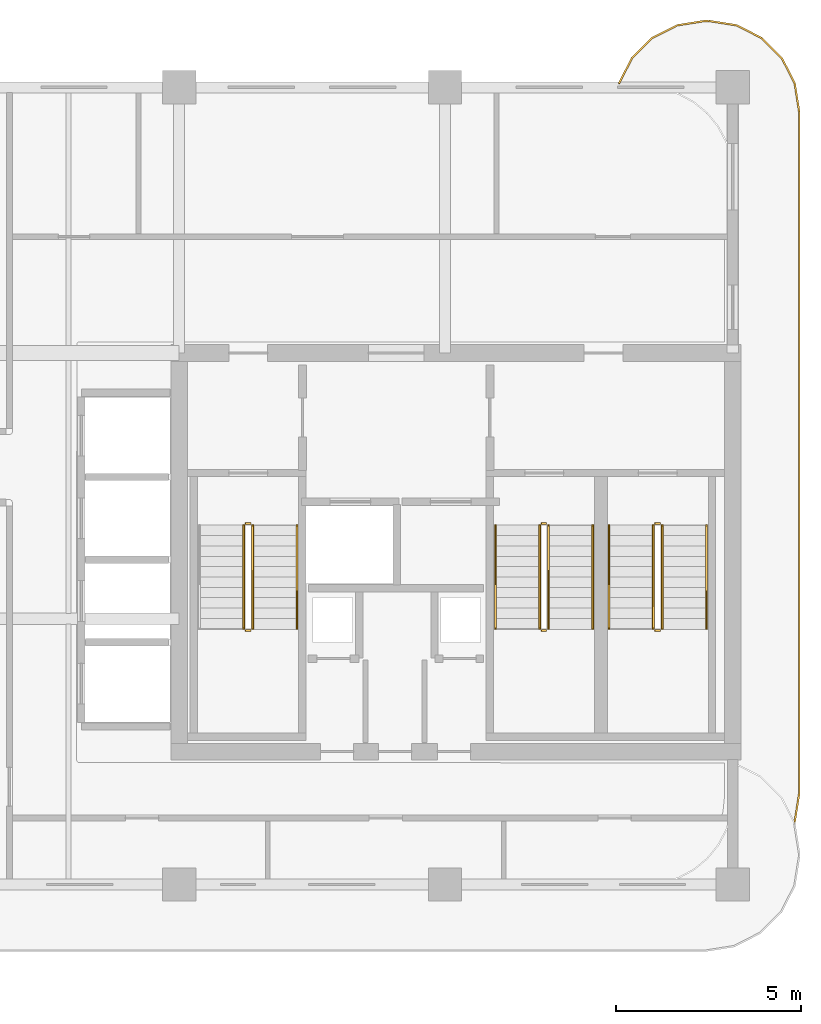
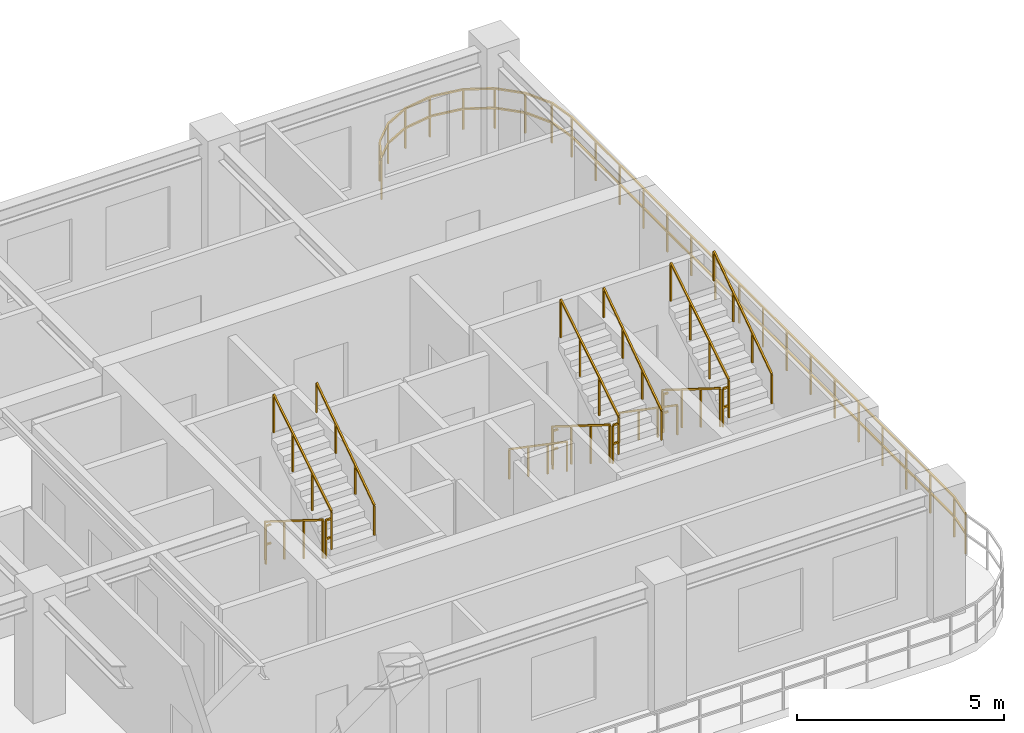
# One storey, part 7 of 7: 18 railings.
"""IFC4 building model written with IfcOpenShell, lengths in metres."""

from ifc_helpers import new_model, si_unit, derived_unit, direction, frame, origin, origin_2d, place, context, subcontext, project, spatial, rectangle, extrude, material, type_object, element, save


model = new_model("IFC4")

# Units and contexts
model_context = context("Model", 3, precision=1e-05, world=origin(), true_north=direction((0.0, 1.0)))
body_context = subcontext(model_context, "Body", "Model", "MODEL_VIEW")
ifc_project = project(units=[si_unit("LENGTHUNIT", "METRE"), si_unit("AREAUNIT", "SQUARE_METRE"), si_unit("VOLUMEUNIT", "CUBIC_METRE"), si_unit("PLANEANGLEUNIT", "RADIAN"), si_unit("MASSUNIT", "GRAM", prefix="KILO"), si_unit("THERMODYNAMICTEMPERATUREUNIT", "KELVIN"), si_unit("POWERUNIT", "WATT"), derived_unit("THERMALTRANSMITTANCEUNIT", [(si_unit("POWERUNIT", "WATT"), 1), (si_unit("AREAUNIT", "SQUARE_METRE"), -1), (si_unit("THERMODYNAMICTEMPERATUREUNIT", "KELVIN"), -1)])], contexts=[model_context])

# Site, building, storey
site_placement = place(None, origin())
site = spatial("IfcSite", under=ifc_project, at=site_placement, CompositionType="ELEMENT")
building_placement = place(site_placement, origin())
building = spatial("IfcBuilding", under=site, at=building_placement, Name="Zahravan Archway Hotel and Residences", CompositionType="ELEMENT")
storey_placement = place(building_placement, frame((0.0, 0.0, 236.550048828125)))
storey = spatial("IfcBuildingStorey", under=building, at=storey_placement, Name="L59", CompositionType="ELEMENT", Elevation=236.550048828125)

# Railings
ifc_material_1 = material(Name="Bronze & Laminated Glass Balustrade", Category="glass")
railing_type_1 = type_object("IfcRailingType", Name="RL-BAL-1200", PredefinedType="BALUSTRADE", material=ifc_material_1)
railing_1_placement = place(storey_placement, frame((46.719970703125, 21.70703125, 0.0)))
element("IfcRailing", 1, at=railing_1_placement, inside=storey, type_object=railing_type_1, Name="L59 Balustrade RL-SLB-BAL-L59-EA-1", PredefinedType="BALUSTRADE", context=body_context, shape_type="SweptSolid", body=[
    extrude(rectangle(XDim=0.048095703125, YDim=0.048095703125, at=origin_2d()), frame((0.0, 0.0, 1.17578125), z_axis=(0.453825591531, 0.891090529897, 0.0), x_axis=(-0.891090529897, 0.453825591531, 0.0)), (0.0, 0.0, 1.0), 0.7666015625),
    extrude(rectangle(XDim=0.048095703125, YDim=0.048095703125, at=origin_2d()), frame((0.0, 0.0, 0.60009765625), z_axis=(0.453825591531, 0.891090529897, 0.0), x_axis=(-0.891090529897, 0.453825591531, 0.0)), (0.0, 0.0, 1.0), 0.7666015625),
    extrude(rectangle(XDim=0.048095703125, YDim=0.048095703125, at=origin_2d()), frame((0.347900390625, 0.68310546875, 1.17578125), z_axis=(0.707106781187, 0.707106781187, 0.0), x_axis=(-0.707106781187, 0.707106781187, 0.0)), (0.0, 0.0, 1.0), 0.7666015625),
    extrude(rectangle(XDim=0.048095703125, YDim=0.048095703125, at=origin_2d()), frame((0.347900390625, 0.68310546875, 0.60009765625), z_axis=(0.707106781187, 0.707106781187, 0.0), x_axis=(-0.707106781187, 0.707106781187, 0.0)), (0.0, 0.0, 1.0), 0.7666015625),
    extrude(rectangle(XDim=0.048095703125, YDim=0.048095703125, at=origin_2d()), frame((0.889892578125, 1.22509765625, 1.17578125), z_axis=(0.891090529897, 0.453825591531, 0.0), x_axis=(-0.453825591531, 0.891090529897, 0.0)), (0.0, 0.0, 1.0), 0.7666015625),
    extrude(rectangle(XDim=0.048095703125, YDim=0.048095703125, at=origin_2d()), frame((0.889892578125, 1.22509765625, 0.60009765625), z_axis=(0.891090529897, 0.453825591531, 0.0), x_axis=(-0.453825591531, 0.891090529897, 0.0)), (0.0, 0.0, 1.0), 0.7666015625),
    extrude(rectangle(XDim=0.048095703125, YDim=0.048095703125, at=origin_2d()), frame((1.572998046875, 1.572998046875, 1.17578125), z_axis=(0.987695728695, 0.156387811283, 0.0), x_axis=(-0.156387811283, 0.987695728695, 0.0)), (0.0, 0.0, 1.0), 0.7666015625),
    extrude(rectangle(XDim=0.048095703125, YDim=0.048095703125, at=origin_2d()), frame((1.572998046875, 1.572998046875, 0.60009765625), z_axis=(0.987695728695, 0.156387811283, 0.0), x_axis=(-0.156387811283, 0.987695728695, 0.0)), (0.0, 0.0, 1.0), 0.7666015625),
    extrude(rectangle(XDim=0.048095703125, YDim=0.048095703125, at=origin_2d()), frame((2.330078125, 1.69287109375, 1.17578125), z_axis=(1.0, 0.0, 0.0), x_axis=(0.0, 1.0, 0.0)), (0.0, 0.0, 1.0), 0.099853515625),
    extrude(rectangle(XDim=0.048095703125, YDim=0.048095703125, at=origin_2d()), frame((2.330078125, 1.69287109375, 0.60009765625), z_axis=(1.0, 0.0, 0.0), x_axis=(0.0, 1.0, 0.0)), (0.0, 0.0, 1.0), 0.099853515625),
    extrude(rectangle(XDim=0.048095703125, YDim=0.048095703125, at=origin_2d()), frame((2.429931640625, 1.69287109375, 1.17578125), z_axis=(0.987695728695, -0.156387811283, 0.0), x_axis=(0.156387811283, 0.987695728695, 0.0)), (0.0, 0.0, 1.0), 0.7666015625),
    extrude(rectangle(XDim=0.048095703125, YDim=0.048095703125, at=origin_2d()), frame((2.429931640625, 1.69287109375, 0.60009765625), z_axis=(0.987695728695, -0.156387811283, 0.0), x_axis=(0.156387811283, 0.987695728695, 0.0)), (0.0, 0.0, 1.0), 0.7666015625),
    extrude(rectangle(XDim=0.048095703125, YDim=0.048095703125, at=origin_2d()), frame((3.18701171875, 1.572998046875, 1.17578125), z_axis=(0.891090529897, -0.453825591531, 0.0), x_axis=(0.453825591531, 0.891090529897, 0.0)), (0.0, 0.0, 1.0), 0.7666015625),
    extrude(rectangle(XDim=0.048095703125, YDim=0.048095703125, at=origin_2d()), frame((3.18701171875, 1.572998046875, 0.60009765625), z_axis=(0.891090529897, -0.453825591531, 0.0), x_axis=(0.453825591531, 0.891090529897, 0.0)), (0.0, 0.0, 1.0), 0.7666015625),
    extrude(rectangle(XDim=0.048095703125, YDim=0.048095703125, at=origin_2d()), frame((3.8701171875, 1.22509765625, 1.17578125), z_axis=(0.707106781187, -0.707106781187, 0.0), x_axis=(0.707106781187, 0.707106781187, 0.0)), (0.0, 0.0, 1.0), 0.7666015625),
    extrude(rectangle(XDim=0.048095703125, YDim=0.048095703125, at=origin_2d()), frame((3.8701171875, 1.22509765625, 0.60009765625), z_axis=(0.707106781187, -0.707106781187, 0.0), x_axis=(0.707106781187, 0.707106781187, 0.0)), (0.0, 0.0, 1.0), 0.7666015625),
    extrude(rectangle(XDim=0.048095703125, YDim=0.048095703125, at=origin_2d()), frame((4.412109375, 0.68310546875, 1.17578125), z_axis=(0.453825591531, -0.891090529897, 0.0), x_axis=(0.891090529897, 0.453825591531, 0.0)), (0.0, 0.0, 1.0), 0.7666015625),
    extrude(rectangle(XDim=0.048095703125, YDim=0.048095703125, at=origin_2d()), frame((4.412109375, 0.68310546875, 0.60009765625), z_axis=(0.453825591531, -0.891090529897, 0.0), x_axis=(0.891090529897, 0.453825591531, 0.0)), (0.0, 0.0, 1.0), 0.7666015625),
    extrude(rectangle(XDim=0.048095703125, YDim=0.048095703125, at=origin_2d()), frame((4.760009765625, 0.0, 1.17578125), z_axis=(0.156698507018, -0.987646484274, 0.0), x_axis=(0.987646484274, 0.156698507018, 0.0)), (0.0, 0.0, 1.0), 0.7666015625),
    extrude(rectangle(XDim=0.048095703125, YDim=0.048095703125, at=origin_2d()), frame((4.760009765625, 0.0, 0.60009765625), z_axis=(0.156698507018, -0.987646484274, 0.0), x_axis=(0.987646484274, 0.156698507018, 0.0)), (0.0, 0.0, 1.0), 0.7666015625),
    extrude(rectangle(XDim=0.048095703125, YDim=0.048095703125, at=origin_2d()), frame((4.880126953125, -0.757080078125, 1.17578125), z_axis=(0.0, -1.0, 0.0), x_axis=(1.0, 0.0, 0.0)), (0.0, 0.0, 1.0), 18.5),
    extrude(rectangle(XDim=0.048095703125, YDim=0.048095703125, at=origin_2d()), frame((4.880126953125, -0.757080078125, 0.60009765625), z_axis=(0.0, -1.0, 0.0), x_axis=(1.0, 0.0, 0.0)), (0.0, 0.0, 1.0), 18.5),
    extrude(rectangle(XDim=0.048095703125, YDim=0.048095703125, at=origin_2d()), frame((4.880126953125, -19.257080078125, 1.17578125), z_axis=(-0.156698507018, -0.987646484274, 0.0), x_axis=(0.987646484274, -0.156698507018, 0.0)), (0.0, 0.0, 1.0), 0.7666015625),
    extrude(rectangle(XDim=0.048095703125, YDim=0.048095703125, at=origin_2d()), frame((4.880126953125, -19.257080078125, 0.60009765625), z_axis=(-0.156698507018, -0.987646484274, 0.0), x_axis=(0.987646484274, -0.156698507018, 0.0)), (0.0, 0.0, 1.0), 0.7666015625),
    extrude(rectangle(XDim=0.0419921875, YDim=0.0419921875, at=origin_2d()), origin(), (0.0, 0.0, 1.0), 1.15185546875),
    extrude(rectangle(XDim=0.0419921875, YDim=0.0419921875, at=origin_2d()), frame((0.347900390625, 0.68310546875, 0.0)), (0.0, 0.0, 1.0), 1.15185546875),
    extrude(rectangle(XDim=0.0419921875, YDim=0.0419921875, at=origin_2d()), frame((0.889892578125, 1.22509765625, 0.0)), (0.0, 0.0, 1.0), 1.15185546875),
    extrude(rectangle(XDim=0.0419921875, YDim=0.0419921875, at=origin_2d()), frame((1.572998046875, 1.572998046875, 0.0)), (0.0, 0.0, 1.0), 1.15185546875),
    extrude(rectangle(XDim=0.0419921875, YDim=0.0419921875, at=origin_2d()), frame((2.330078125, 1.69287109375, 0.0)), (0.0, 0.0, 1.0), 1.15185546875),
    extrude(rectangle(XDim=0.0419921875, YDim=0.0419921875, at=origin_2d()), frame((3.18701171875, 1.572998046875, 0.0)), (0.0, 0.0, 1.0), 1.15185546875),
    extrude(rectangle(XDim=0.0419921875, YDim=0.0419921875, at=origin_2d()), frame((3.8701171875, 1.22509765625, 0.0)), (0.0, 0.0, 1.0), 1.15185546875),
    extrude(rectangle(XDim=0.0419921875, YDim=0.0419921875, at=origin_2d()), frame((4.412109375, 0.68310546875, 0.0)), (0.0, 0.0, 1.0), 1.15185546875),
    extrude(rectangle(XDim=0.0419921875, YDim=0.0419921875, at=origin_2d()), frame((4.760009765625, 0.0, 0.0)), (0.0, 0.0, 1.0), 1.15185546875),
    extrude(rectangle(XDim=0.0419921875, YDim=0.0419921875, at=origin_2d()), frame((4.880126953125, -0.757080078125, 0.0)), (0.0, 0.0, 1.0), 1.15185546875),
    extrude(rectangle(XDim=0.0419921875, YDim=0.0419921875, at=origin_2d()), frame((4.880126953125, -1.913330078125, 0.0)), (0.0, 0.0, 1.0), 1.15185546875),
    extrude(rectangle(XDim=0.0419921875, YDim=0.0419921875, at=origin_2d()), frame((4.880126953125, -3.069580078125, 0.0)), (0.0, 0.0, 1.0), 1.15185546875),
    extrude(rectangle(XDim=0.0419921875, YDim=0.0419921875, at=origin_2d()), frame((4.880126953125, -4.225830078125, 0.0)), (0.0, 0.0, 1.0), 1.15185546875),
    extrude(rectangle(XDim=0.0419921875, YDim=0.0419921875, at=origin_2d()), frame((4.880126953125, -5.382080078125, 0.0)), (0.0, 0.0, 1.0), 1.15185546875),
    extrude(rectangle(XDim=0.0419921875, YDim=0.0419921875, at=origin_2d()), frame((4.880126953125, -6.538330078125, 0.0)), (0.0, 0.0, 1.0), 1.15185546875),
    extrude(rectangle(XDim=0.0419921875, YDim=0.0419921875, at=origin_2d()), frame((4.880126953125, -7.694580078125, 0.0)), (0.0, 0.0, 1.0), 1.15185546875),
    extrude(rectangle(XDim=0.0419921875, YDim=0.0419921875, at=origin_2d()), frame((4.880126953125, -8.850830078125, 0.0)), (0.0, 0.0, 1.0), 1.15185546875),
    extrude(rectangle(XDim=0.0419921875, YDim=0.0419921875, at=origin_2d()), frame((4.880126953125, -10.007080078125, 0.0)), (0.0, 0.0, 1.0), 1.15185546875),
    extrude(rectangle(XDim=0.0419921875, YDim=0.0419921875, at=origin_2d()), frame((4.880126953125, -11.163330078125, 0.0)), (0.0, 0.0, 1.0), 1.15185546875),
    extrude(rectangle(XDim=0.0419921875, YDim=0.0419921875, at=origin_2d()), frame((4.880126953125, -12.319580078125, 0.0)), (0.0, 0.0, 1.0), 1.15185546875),
    extrude(rectangle(XDim=0.0419921875, YDim=0.0419921875, at=origin_2d()), frame((4.880126953125, -13.475830078125, 0.0)), (0.0, 0.0, 1.0), 1.15185546875),
    extrude(rectangle(XDim=0.0419921875, YDim=0.0419921875, at=origin_2d()), frame((4.880126953125, -14.632080078125, 0.0)), (0.0, 0.0, 1.0), 1.15185546875),
    extrude(rectangle(XDim=0.0419921875, YDim=0.0419921875, at=origin_2d()), frame((4.880126953125, -15.788330078125, 0.0)), (0.0, 0.0, 1.0), 1.15185546875),
    extrude(rectangle(XDim=0.0419921875, YDim=0.0419921875, at=origin_2d()), frame((4.880126953125, -16.944580078125, 0.0)), (0.0, 0.0, 1.0), 1.15185546875),
    extrude(rectangle(XDim=0.0419921875, YDim=0.0419921875, at=origin_2d()), frame((4.880126953125, -18.100830078125, 0.0)), (0.0, 0.0, 1.0), 1.15185546875),
    extrude(rectangle(XDim=0.0419921875, YDim=0.0419921875, at=origin_2d()), frame((4.880126953125, -19.257080078125, 0.0)), (0.0, 0.0, 1.0), 1.15185546875),
    extrude(rectangle(XDim=0.0419921875, YDim=0.0419921875, at=origin_2d()), frame((4.760009765625, -20.01416015625, 0.0)), (0.0, 0.0, 1.0), 1.15185546875),
])
ifc_material_2 = material(Name="Painted Tubular Steel", Category="steel")
railing_type_2 = type_object("IfcRailingType", Name="RL-STG-1150", PredefinedType="GUARDRAIL", material=ifc_material_2)
railing_2_placement = place(storey_placement, frame((36.550048828125, 9.72998046875, 0.175048828125)))
element("IfcRailing", 2, at=railing_2_placement, inside=storey, type_object=railing_type_2, Name="L59 ST-A1 stair guard 1", PredefinedType="GUARDRAIL", context=body_context, shape_type="SweptSolid", body=[
    extrude(rectangle(XDim=0.048095703125, YDim=0.048095703125, at=origin_2d()), frame((0.0, 0.0, 1.1259765625), z_axis=(0.0, -0.848002457836, 0.529992293815), x_axis=(1.0, 0.0, 0.0)), (0.0, 0.0, 1.0), 3.302001953125),
    extrude(rectangle(XDim=0.0419921875, YDim=0.0419921875, at=origin_2d()), origin(), (0.0, 0.0, 1.0), 1.101806640625),
    extrude(rectangle(XDim=0.0419921875, YDim=0.0419921875, at=origin_2d()), frame((0.0, -0.933349609375, 0.583251953125)), (0.0, 0.0, 1.0), 1.101806640625),
    extrude(rectangle(XDim=0.0419921875, YDim=0.0419921875, at=origin_2d()), frame((0.0, -1.86669921875, 1.166748046875)), (0.0, 0.0, 1.0), 1.101806640625),
    extrude(rectangle(XDim=0.0419921875, YDim=0.0419921875, at=origin_2d()), frame((0.0, -2.800048828125, 1.75)), (0.0, 0.0, 1.0), 1.101806640625),
])
railing_3_placement = place(storey_placement, frame((36.60009765625, 6.8798828125, 1.925048828125)))
element("IfcRailing", 3, at=railing_3_placement, inside=storey, type_object=railing_type_2, Name="L59 ST-A1 stair guard 2", PredefinedType="GUARDRAIL", context=body_context, shape_type="SweptSolid", body=[
    extrude(rectangle(XDim=0.048095703125, YDim=0.048095703125, at=origin_2d()), frame((0.0, 0.0, 1.1259765625), z_axis=(1.0, 0.0, 0.0), x_axis=(0.0, 1.0, 0.0)), (0.0, 0.0, 1.0), 0.139892578125),
    extrude(rectangle(XDim=0.048095703125, YDim=0.048095703125, at=origin_2d()), frame((0.0, 0.0, 0.574951171875), z_axis=(1.0, 0.0, 0.0), x_axis=(0.0, 1.0, 0.0)), (0.0, 0.0, 1.0), 0.139892578125),
    extrude(rectangle(XDim=0.0419921875, YDim=0.0419921875, at=origin_2d()), origin(), (0.0, 0.0, 1.0), 1.101806640625),
])
railing_4_placement = place(storey_placement, frame((36.7900390625, 6.929931640625, 2.099853515625)))
element("IfcRailing", 4, at=railing_4_placement, inside=storey, type_object=railing_type_2, Name="L59 ST-A1 stair guard 3", PredefinedType="GUARDRAIL", context=body_context, shape_type="SweptSolid", body=[
    extrude(rectangle(XDim=0.048095703125, YDim=0.048095703125, at=origin_2d()), frame((0.0, 0.0, 1.1259765625), z_axis=(0.0, 0.848002457836, 0.529992293815), x_axis=(-1.0, 0.0, 0.0)), (0.0, 0.0, 1.0), 3.302001953125),
    extrude(rectangle(XDim=0.0419921875, YDim=0.0419921875, at=origin_2d()), origin(), (0.0, 0.0, 1.0), 1.101806640625),
    extrude(rectangle(XDim=0.0419921875, YDim=0.0419921875, at=origin_2d()), frame((0.0, 0.933349609375, 0.583251953125)), (0.0, 0.0, 1.0), 1.101806640625),
    extrude(rectangle(XDim=0.0419921875, YDim=0.0419921875, at=origin_2d()), frame((0.0, 1.86669921875, 1.166748046875)), (0.0, 0.0, 1.0), 1.101806640625),
    extrude(rectangle(XDim=0.0419921875, YDim=0.0419921875, at=origin_2d()), frame((0.0, 2.800048828125, 1.75)), (0.0, 0.0, 1.0), 1.101806640625),
])
railing_5_placement = place(storey_placement, frame((36.60009765625, 9.780029296875, 0.0)))
element("IfcRailing", 5, at=railing_5_placement, inside=storey, type_object=railing_type_2, Name="L59 ST-A1 stair guard 4", PredefinedType="GUARDRAIL", context=body_context, shape_type="SweptSolid", body=[
    extrude(rectangle(XDim=0.048095703125, YDim=0.048095703125, at=origin_2d()), frame((0.0, 0.0, 1.1259765625), z_axis=(1.0, 0.0, 0.0), x_axis=(0.0, 1.0, 0.0)), (0.0, 0.0, 1.0), 0.139892578125),
    extrude(rectangle(XDim=0.048095703125, YDim=0.048095703125, at=origin_2d()), frame((0.0, 0.0, 0.574951171875), z_axis=(1.0, 0.0, 0.0), x_axis=(0.0, 1.0, 0.0)), (0.0, 0.0, 1.0), 0.139892578125),
    extrude(rectangle(XDim=0.0419921875, YDim=0.0419921875, at=origin_2d()), origin(), (0.0, 0.0, 1.0), 1.101806640625),
])
railing_6_placement = place(storey_placement, frame((44.570068359375, 9.72998046875, 0.175048828125)))
element("IfcRailing", 6, at=railing_6_placement, inside=storey, type_object=railing_type_2, Name="L59 ST-A2 stair guard 1", PredefinedType="GUARDRAIL", context=body_context, shape_type="SweptSolid", body=[
    extrude(rectangle(XDim=0.048095703125, YDim=0.048095703125, at=origin_2d()), frame((0.0, 0.0, 1.1259765625), z_axis=(0.0, -0.848002457836, 0.529992293815), x_axis=(1.0, 0.0, 0.0)), (0.0, 0.0, 1.0), 3.302001953125),
    extrude(rectangle(XDim=0.0419921875, YDim=0.0419921875, at=origin_2d()), origin(), (0.0, 0.0, 1.0), 1.101806640625),
    extrude(rectangle(XDim=0.0419921875, YDim=0.0419921875, at=origin_2d()), frame((0.0, -0.933349609375, 0.583251953125)), (0.0, 0.0, 1.0), 1.101806640625),
    extrude(rectangle(XDim=0.0419921875, YDim=0.0419921875, at=origin_2d()), frame((0.0, -1.86669921875, 1.166748046875)), (0.0, 0.0, 1.0), 1.101806640625),
    extrude(rectangle(XDim=0.0419921875, YDim=0.0419921875, at=origin_2d()), frame((0.0, -2.800048828125, 1.75)), (0.0, 0.0, 1.0), 1.101806640625),
])
railing_7_placement = place(storey_placement, frame((44.6201171875, 6.8798828125, 1.925048828125)))
element("IfcRailing", 7, at=railing_7_placement, inside=storey, type_object=railing_type_2, Name="L59 ST-A2 stair guard 2", PredefinedType="GUARDRAIL", context=body_context, shape_type="SweptSolid", body=[
    extrude(rectangle(XDim=0.048095703125, YDim=0.048095703125, at=origin_2d()), frame((0.0, 0.0, 1.1259765625), z_axis=(1.0, 0.0, 0.0), x_axis=(0.0, 1.0, 0.0)), (0.0, 0.0, 1.0), 0.139892578125),
    extrude(rectangle(XDim=0.048095703125, YDim=0.048095703125, at=origin_2d()), frame((0.0, 0.0, 0.574951171875), z_axis=(1.0, 0.0, 0.0), x_axis=(0.0, 1.0, 0.0)), (0.0, 0.0, 1.0), 0.139892578125),
    extrude(rectangle(XDim=0.0419921875, YDim=0.0419921875, at=origin_2d()), origin(), (0.0, 0.0, 1.0), 1.101806640625),
])
railing_8_placement = place(storey_placement, frame((44.81005859375, 6.929931640625, 2.099853515625)))
element("IfcRailing", 8, at=railing_8_placement, inside=storey, type_object=railing_type_2, Name="L59 ST-A2 stair guard 3", PredefinedType="GUARDRAIL", context=body_context, shape_type="SweptSolid", body=[
    extrude(rectangle(XDim=0.048095703125, YDim=0.048095703125, at=origin_2d()), frame((0.0, 0.0, 1.1259765625), z_axis=(0.0, 0.848002457836, 0.529992293815), x_axis=(-1.0, 0.0, 0.0)), (0.0, 0.0, 1.0), 3.302001953125),
    extrude(rectangle(XDim=0.0419921875, YDim=0.0419921875, at=origin_2d()), origin(), (0.0, 0.0, 1.0), 1.101806640625),
    extrude(rectangle(XDim=0.0419921875, YDim=0.0419921875, at=origin_2d()), frame((0.0, 0.933349609375, 0.583251953125)), (0.0, 0.0, 1.0), 1.101806640625),
    extrude(rectangle(XDim=0.0419921875, YDim=0.0419921875, at=origin_2d()), frame((0.0, 1.86669921875, 1.166748046875)), (0.0, 0.0, 1.0), 1.101806640625),
    extrude(rectangle(XDim=0.0419921875, YDim=0.0419921875, at=origin_2d()), frame((0.0, 2.800048828125, 1.75)), (0.0, 0.0, 1.0), 1.101806640625),
])
railing_9_placement = place(storey_placement, frame((44.6201171875, 9.780029296875, 0.0)))
element("IfcRailing", 9, at=railing_9_placement, inside=storey, type_object=railing_type_2, Name="L59 ST-A2 stair guard 4", PredefinedType="GUARDRAIL", context=body_context, shape_type="SweptSolid", body=[
    extrude(rectangle(XDim=0.048095703125, YDim=0.048095703125, at=origin_2d()), frame((0.0, 0.0, 1.1259765625), z_axis=(1.0, 0.0, 0.0), x_axis=(0.0, 1.0, 0.0)), (0.0, 0.0, 1.0), 0.139892578125),
    extrude(rectangle(XDim=0.048095703125, YDim=0.048095703125, at=origin_2d()), frame((0.0, 0.0, 0.574951171875), z_axis=(1.0, 0.0, 0.0), x_axis=(0.0, 1.0, 0.0)), (0.0, 0.0, 1.0), 0.139892578125),
    extrude(rectangle(XDim=0.0419921875, YDim=0.0419921875, at=origin_2d()), origin(), (0.0, 0.0, 1.0), 1.101806640625),
])
railing_10_placement = place(storey_placement, frame((47.64990234375, 9.72998046875, 0.175048828125)))
element("IfcRailing", 10, at=railing_10_placement, inside=storey, type_object=railing_type_2, Name="L59 ST-A3 stair guard 1", PredefinedType="GUARDRAIL", context=body_context, shape_type="SweptSolid", body=[
    extrude(rectangle(XDim=0.048095703125, YDim=0.048095703125, at=origin_2d()), frame((0.0, 0.0, 1.1259765625), z_axis=(0.0, -0.848002457836, 0.529992293815), x_axis=(1.0, 0.0, 0.0)), (0.0, 0.0, 1.0), 3.302001953125),
    extrude(rectangle(XDim=0.0419921875, YDim=0.0419921875, at=origin_2d()), origin(), (0.0, 0.0, 1.0), 1.101806640625),
    extrude(rectangle(XDim=0.0419921875, YDim=0.0419921875, at=origin_2d()), frame((0.0, -0.933349609375, 0.583251953125)), (0.0, 0.0, 1.0), 1.101806640625),
    extrude(rectangle(XDim=0.0419921875, YDim=0.0419921875, at=origin_2d()), frame((0.0, -1.86669921875, 1.166748046875)), (0.0, 0.0, 1.0), 1.101806640625),
    extrude(rectangle(XDim=0.0419921875, YDim=0.0419921875, at=origin_2d()), frame((0.0, -2.800048828125, 1.75)), (0.0, 0.0, 1.0), 1.101806640625),
])
railing_11_placement = place(storey_placement, frame((47.699951171875, 6.8798828125, 1.925048828125)))
element("IfcRailing", 11, at=railing_11_placement, inside=storey, type_object=railing_type_2, Name="L59 ST-A3 stair guard 2", PredefinedType="GUARDRAIL", context=body_context, shape_type="SweptSolid", body=[
    extrude(rectangle(XDim=0.048095703125, YDim=0.048095703125, at=origin_2d()), frame((0.0, 0.0, 1.1259765625), z_axis=(1.0, 0.0, 0.0), x_axis=(0.0, 1.0, 0.0)), (0.0, 0.0, 1.0), 0.14013671875),
    extrude(rectangle(XDim=0.048095703125, YDim=0.048095703125, at=origin_2d()), frame((0.0, 0.0, 0.574951171875), z_axis=(1.0, 0.0, 0.0), x_axis=(0.0, 1.0, 0.0)), (0.0, 0.0, 1.0), 0.14013671875),
    extrude(rectangle(XDim=0.0419921875, YDim=0.0419921875, at=origin_2d()), origin(), (0.0, 0.0, 1.0), 1.101806640625),
])
railing_12_placement = place(storey_placement, frame((47.889892578125, 6.929931640625, 2.099853515625)))
element("IfcRailing", 12, at=railing_12_placement, inside=storey, type_object=railing_type_2, Name="L59 ST-A3 stair guard 3", PredefinedType="GUARDRAIL", context=body_context, shape_type="SweptSolid", body=[
    extrude(rectangle(XDim=0.048095703125, YDim=0.048095703125, at=origin_2d()), frame((0.0, 0.0, 1.1259765625), z_axis=(0.0, 0.848002457836, 0.529992293815), x_axis=(-1.0, 0.0, 0.0)), (0.0, 0.0, 1.0), 3.302001953125),
    extrude(rectangle(XDim=0.0419921875, YDim=0.0419921875, at=origin_2d()), origin(), (0.0, 0.0, 1.0), 1.101806640625),
    extrude(rectangle(XDim=0.0419921875, YDim=0.0419921875, at=origin_2d()), frame((0.0, 0.933349609375, 0.583251953125)), (0.0, 0.0, 1.0), 1.101806640625),
    extrude(rectangle(XDim=0.0419921875, YDim=0.0419921875, at=origin_2d()), frame((0.0, 1.86669921875, 1.166748046875)), (0.0, 0.0, 1.0), 1.101806640625),
    extrude(rectangle(XDim=0.0419921875, YDim=0.0419921875, at=origin_2d()), frame((0.0, 2.800048828125, 1.75)), (0.0, 0.0, 1.0), 1.101806640625),
])
railing_13_placement = place(storey_placement, frame((47.699951171875, 9.780029296875, 0.0)))
element("IfcRailing", 13, at=railing_13_placement, inside=storey, type_object=railing_type_2, Name="L59 ST-A3 stair guard 4", PredefinedType="GUARDRAIL", context=body_context, shape_type="SweptSolid", body=[
    extrude(rectangle(XDim=0.048095703125, YDim=0.048095703125, at=origin_2d()), frame((0.0, 0.0, 1.1259765625), z_axis=(1.0, 0.0, 0.0), x_axis=(0.0, 1.0, 0.0)), (0.0, 0.0, 1.0), 0.14013671875),
    extrude(rectangle(XDim=0.048095703125, YDim=0.048095703125, at=origin_2d()), frame((0.0, 0.0, 0.574951171875), z_axis=(1.0, 0.0, 0.0), x_axis=(0.0, 1.0, 0.0)), (0.0, 0.0, 1.0), 0.14013671875),
    extrude(rectangle(XDim=0.0419921875, YDim=0.0419921875, at=origin_2d()), origin(), (0.0, 0.0, 1.0), 1.101806640625),
])
ifc_material_3 = material(Name="Brushed Stainless Steel", Category="steel")
railing_type_3 = type_object("IfcRailingType", Name="RL-STH-900", PredefinedType="HANDRAIL", material=ifc_material_3)
railing_14_placement = place(storey_placement, frame((37.989990234375, 6.929931640625, 2.099853515625)))
element("IfcRailing", 14, at=railing_14_placement, inside=storey, type_object=railing_type_3, Name="L59 ST-A1 stair handrail 2", PredefinedType="HANDRAIL", context=body_context, shape_type="SweptSolid", body=[
    extrude(rectangle(XDim=0.048095703125, YDim=0.048095703125, at=origin_2d()), frame((0.0, 0.0, 0.8759765625), z_axis=(0.0, 0.824039827795, 0.566531872191), x_axis=(-1.0, 0.0, 0.0)), (0.0, 0.0, 1.0), 3.39794921875),
    extrude(rectangle(XDim=0.0419921875, YDim=0.0419921875, at=origin_2d()), origin(), (0.0, 0.0, 1.0), 0.851806640625),
    extrude(rectangle(XDim=0.0419921875, YDim=0.0419921875, at=origin_2d()), frame((0.0, 0.933349609375, 0.6416015625)), (0.0, 0.0, 1.0), 0.851806640625),
    extrude(rectangle(XDim=0.0419921875, YDim=0.0419921875, at=origin_2d()), frame((0.0, 1.86669921875, 1.283447265625)), (0.0, 0.0, 1.0), 0.851806640625),
    extrude(rectangle(XDim=0.0419921875, YDim=0.0419921875, at=origin_2d()), frame((0.0, 2.800048828125, 1.925048828125)), (0.0, 0.0, 1.0), 0.851806640625),
])
railing_15_placement = place(storey_placement, frame((43.3701171875, 9.72998046875, 0.175048828125)))
element("IfcRailing", 15, at=railing_15_placement, inside=storey, type_object=railing_type_3, Name="L59 ST-A2 stair handrail 1", PredefinedType="HANDRAIL", context=body_context, shape_type="SweptSolid", body=[
    extrude(rectangle(XDim=0.048095703125, YDim=0.048095703125, at=origin_2d()), frame((0.0, 0.0, 0.8759765625), z_axis=(0.0, -0.824073370198, 0.566483080534), x_axis=(1.0, 0.0, 0.0)), (0.0, 0.0, 1.0), 3.397705078125),
    extrude(rectangle(XDim=0.0419921875, YDim=0.0419921875, at=origin_2d()), origin(), (0.0, 0.0, 1.0), 0.851806640625),
    extrude(rectangle(XDim=0.0419921875, YDim=0.0419921875, at=origin_2d()), frame((0.0, -0.933349609375, 0.6416015625)), (0.0, 0.0, 1.0), 0.851806640625),
    extrude(rectangle(XDim=0.0419921875, YDim=0.0419921875, at=origin_2d()), frame((0.0, -1.86669921875, 1.283203125)), (0.0, 0.0, 1.0), 0.851806640625),
    extrude(rectangle(XDim=0.0419921875, YDim=0.0419921875, at=origin_2d()), frame((0.0, -2.800048828125, 1.9248046875)), (0.0, 0.0, 1.0), 0.851806640625),
])
railing_16_placement = place(storey_placement, frame((46.010009765625, 6.929931640625, 2.099853515625)))
element("IfcRailing", 16, at=railing_16_placement, inside=storey, type_object=railing_type_3, Name="L59 ST-A2 stair handrail 2", PredefinedType="HANDRAIL", context=body_context, shape_type="SweptSolid", body=[
    extrude(rectangle(XDim=0.048095703125, YDim=0.048095703125, at=origin_2d()), frame((0.0, 0.0, 0.8759765625), z_axis=(0.0, 0.824039827795, 0.566531872191), x_axis=(-1.0, 0.0, 0.0)), (0.0, 0.0, 1.0), 3.39794921875),
    extrude(rectangle(XDim=0.0419921875, YDim=0.0419921875, at=origin_2d()), origin(), (0.0, 0.0, 1.0), 0.851806640625),
    extrude(rectangle(XDim=0.0419921875, YDim=0.0419921875, at=origin_2d()), frame((0.0, 0.933349609375, 0.6416015625)), (0.0, 0.0, 1.0), 0.851806640625),
    extrude(rectangle(XDim=0.0419921875, YDim=0.0419921875, at=origin_2d()), frame((0.0, 1.86669921875, 1.283447265625)), (0.0, 0.0, 1.0), 0.851806640625),
    extrude(rectangle(XDim=0.0419921875, YDim=0.0419921875, at=origin_2d()), frame((0.0, 2.800048828125, 1.925048828125)), (0.0, 0.0, 1.0), 0.851806640625),
])
railing_17_placement = place(storey_placement, frame((46.449951171875, 9.72998046875, 0.175048828125)))
element("IfcRailing", 17, at=railing_17_placement, inside=storey, type_object=railing_type_3, Name="L59 ST-A3 stair handrail 1", PredefinedType="HANDRAIL", context=body_context, shape_type="SweptSolid", body=[
    extrude(rectangle(XDim=0.048095703125, YDim=0.048095703125, at=origin_2d()), frame((0.0, 0.0, 0.8759765625), z_axis=(0.0, -0.824073370198, 0.566483080534), x_axis=(1.0, 0.0, 0.0)), (0.0, 0.0, 1.0), 3.397705078125),
    extrude(rectangle(XDim=0.0419921875, YDim=0.0419921875, at=origin_2d()), origin(), (0.0, 0.0, 1.0), 0.851806640625),
    extrude(rectangle(XDim=0.0419921875, YDim=0.0419921875, at=origin_2d()), frame((0.0, -0.933349609375, 0.6416015625)), (0.0, 0.0, 1.0), 0.851806640625),
    extrude(rectangle(XDim=0.0419921875, YDim=0.0419921875, at=origin_2d()), frame((0.0, -1.86669921875, 1.283203125)), (0.0, 0.0, 1.0), 0.851806640625),
    extrude(rectangle(XDim=0.0419921875, YDim=0.0419921875, at=origin_2d()), frame((0.0, -2.800048828125, 1.9248046875)), (0.0, 0.0, 1.0), 0.851806640625),
])
railing_18_placement = place(storey_placement, frame((49.090087890625, 6.929931640625, 2.099853515625)))
element("IfcRailing", 18, at=railing_18_placement, inside=storey, type_object=railing_type_3, Name="L59 ST-A3 stair handrail 2", PredefinedType="HANDRAIL", context=body_context, shape_type="SweptSolid", body=[
    extrude(rectangle(XDim=0.048095703125, YDim=0.048095703125, at=origin_2d()), frame((0.0, 0.0, 0.8759765625), z_axis=(0.0, 0.824039827795, 0.566531872191), x_axis=(-1.0, 0.0, 0.0)), (0.0, 0.0, 1.0), 3.39794921875),
    extrude(rectangle(XDim=0.0419921875, YDim=0.0419921875, at=origin_2d()), origin(), (0.0, 0.0, 1.0), 0.851806640625),
    extrude(rectangle(XDim=0.0419921875, YDim=0.0419921875, at=origin_2d()), frame((0.0, 0.933349609375, 0.6416015625)), (0.0, 0.0, 1.0), 0.851806640625),
    extrude(rectangle(XDim=0.0419921875, YDim=0.0419921875, at=origin_2d()), frame((0.0, 1.86669921875, 1.283447265625)), (0.0, 0.0, 1.0), 0.851806640625),
    extrude(rectangle(XDim=0.0419921875, YDim=0.0419921875, at=origin_2d()), frame((0.0, 2.800048828125, 1.925048828125)), (0.0, 0.0, 1.0), 0.851806640625),
])

save(model, "model.ifc")
